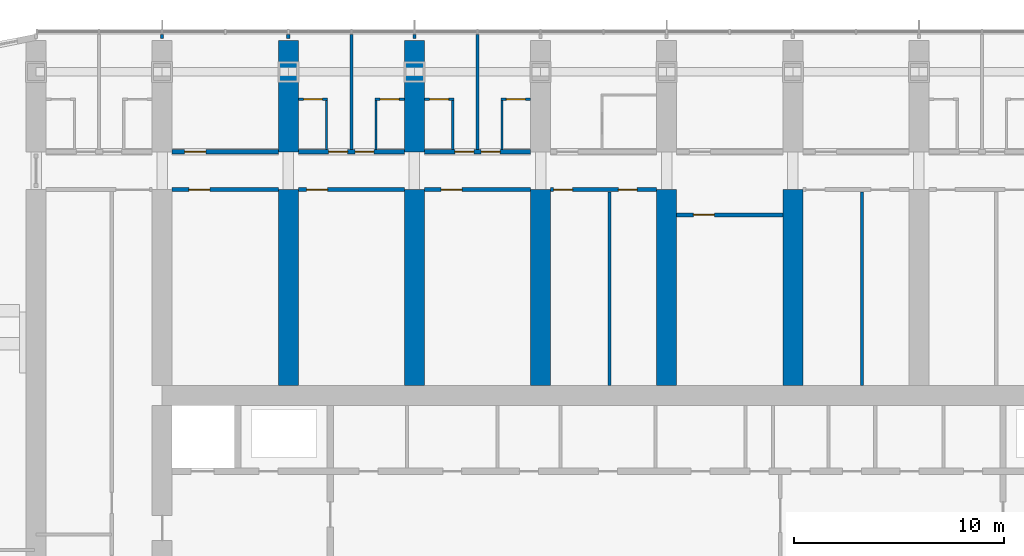
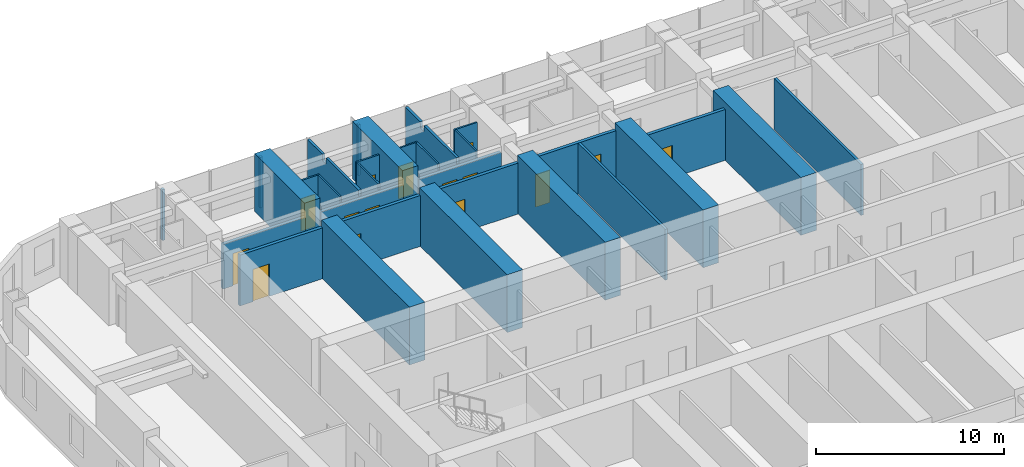
# One storey, part 14 of 22: 30 walls, 15 doors, 15 openings.
"""IFC4 building model written with IfcOpenShell, lengths in metres."""

from ifc_helpers import new_model, si_unit, direction, frame, frame_2d, origin, place, context, subcontext, project, spatial, polyline, rectangle, outline, extrude, material, layer, layer_set, type_object, element, fill, save


model = new_model("IFC4")

# Units and contexts
model_context = context("Model", 3, precision=1e-05, world=origin(), true_north=direction((0.0, 1.0)))
body_context = subcontext(model_context, "Body", "Model", "MODEL_VIEW")
ifc_project = project(units=[si_unit("LENGTHUNIT", "METRE"), si_unit("AREAUNIT", "SQUARE_METRE"), si_unit("VOLUMEUNIT", "CUBIC_METRE"), si_unit("PLANEANGLEUNIT", "RADIAN"), si_unit("MASSUNIT", "GRAM", prefix="KILO")], contexts=[model_context])

# Site, building, storey
site_placement = place(None, origin())
site = spatial("IfcSite", under=ifc_project, at=site_placement, CompositionType="ELEMENT")
building_placement = place(site_placement, origin())
building = spatial("IfcBuilding", under=site, at=building_placement, Name="Orbita Commons", CompositionType="ELEMENT")
storey_placement = place(building_placement, frame((0.0, 0.0, 80.64990234375)))
storey = spatial("IfcBuildingStorey", under=building, at=storey_placement, Name="L19", CompositionType="ELEMENT", Elevation=80.64990234375)

# Wall, opening, door
ifc_material_1 = material(Name="Concrete blockwork", Category="masonry")
ifc_layer_1 = layer(ifc_material_1, 0.199951171875)
ifc_layer_set_1 = layer_set([ifc_layer_1], Name="Concrete blockwork")
wall_type_1 = type_object("IfcWallType", Name="Corridor wall 200 blockwork", PredefinedType="SOLIDWALL", material=ifc_layer_set_1)
wall_1_placement = place(storey_placement, frame((18.47509765625, 49.800048828125, 0.0), z_axis=(0.0, 0.0, 1.0), x_axis=(1.0, 0.0, 0.0)))
wall_1 = element("IfcWall", 1, at=wall_1_placement, inside=storey, type_object=wall_type_1, Name="Corridor wall 200 blockwork L19", PredefinedType="SOLIDWALL", context=body_context, shape_type="SweptSolid", body=[
    extrude(outline(polyline([(0.0, 0.0), (5.0498046875, 0.0), (5.050048828125, 2.900146484375), (0.0, 2.900146484375), (0.0, 0.0)])), frame((0.0, 0.10009765625, 0.0), z_axis=(0.0, -1.0, 0.0), x_axis=(1.0, 0.0, 0.0)), (0.0, 0.0, 1.0), 0.199951171875),
])
opening_1_placement = place(wall_1_placement, frame((0.60009765625, 0.0, 0.0)))
opening_1 = element("IfcOpeningElement", 2, at=opening_1_placement, cuts=wall_1, Name="Opening D06", PredefinedType="OPENING", context=body_context, shape_type="SweptSolid", body=[
    extrude(rectangle(XDim=1.0, YDim=2.10009765625, at=frame_2d((0.5, 1.050048828125))), frame((0.0, 0.10986328125, 0.0), z_axis=(0.0, -1.0, 0.0), x_axis=(1.0, 0.0, 0.0)), (0.0, 0.0, 1.0), 0.219970703125),
])
ifc_material_2 = material(Name="Steel-faced fire door leaf", Category="steel")
door_type_1 = type_object("IfcDoorType", Name="Corridor door 20 min 1000x2100", OperationType="SINGLE_SWING_LEFT", PredefinedType="DOOR", material=ifc_material_2)
door_1_placement = place(opening_1_placement, origin())
door_1 = element("IfcDoor", 3, at=door_1_placement, inside=storey, type_object=door_type_1, Name="Sea-view lounge L19-N02 door", OperationType="SINGLE_SWING_LEFT", OverallHeight=2.10009765625, OverallWidth=1.0, PredefinedType="DOOR", context=body_context, shape_type="SweptSolid", body=[
    extrude(rectangle(XDim=1.0, YDim=2.10009765625, at=frame_2d((0.5, 1.050048828125))), frame((0.0, 0.02490234375, 0.0), z_axis=(0.0, -1.0, 0.0), x_axis=(1.0, 0.0, 0.0)), (0.0, 0.0, 1.0), 0.050048828125),
])
fill(opening_1, door_1)

# Wall, openings, doors
wall_2_placement = place(storey_placement, frame((24.47509765625, 49.800048828125, 0.0), z_axis=(0.0, 0.0, 1.0), x_axis=(1.0, 0.0, 0.0)))
wall_2 = element("IfcWall", 4, at=wall_2_placement, inside=storey, type_object=wall_type_1, Name="Corridor wall 200 blockwork L19", PredefinedType="SOLIDWALL", context=body_context, shape_type="SweptSolid", body=[
    extrude(outline(polyline([(0.0, 0.0), (5.0498046875, 0.0), (5.050048828125, 2.900146484375), (0.0, 2.900146484375), (0.0, 0.0)])), frame((0.0, 0.10009765625, 0.0), z_axis=(0.0, -1.0, 0.0), x_axis=(1.0, 0.0, 0.0)), (0.0, 0.0, 1.0), 0.199951171875),
])
opening_2_placement = place(wall_2_placement, frame((1.449951171875, 0.0, 0.0)))
opening_2 = element("IfcOpeningElement", 5, at=opening_2_placement, cuts=wall_2, Name="Opening D11", PredefinedType="OPENING", context=body_context, shape_type="SweptSolid", body=[
    extrude(rectangle(XDim=0.89990234375, YDim=2.10009765625, at=frame_2d((0.449951171875, 1.050048828125))), frame((0.0, 0.10986328125, 0.0), z_axis=(0.0, -1.0, 0.0), x_axis=(1.0, 0.0, 0.0)), (0.0, 0.0, 1.0), 0.219970703125),
])
opening_3_placement = place(wall_2_placement, frame((2.699951171875, 0.0, 0.0)))
opening_3 = element("IfcOpeningElement", 6, at=opening_3_placement, cuts=wall_2, Name="Opening D11", PredefinedType="OPENING", context=body_context, shape_type="SweptSolid", body=[
    extrude(rectangle(XDim=0.89990234375, YDim=2.10009765625, at=frame_2d((0.449951171875, 1.050048828125))), frame((0.0, 0.10986328125, 0.0), z_axis=(0.0, -1.0, 0.0), x_axis=(1.0, 0.0, 0.0)), (0.0, 0.0, 1.0), 0.219970703125),
])
ifc_material_3 = material(Name="Steel-faced fire door leaf", Category="steel")
door_type_2 = type_object("IfcDoorType", Name="Corridor door 20 min 900x2100", OperationType="SINGLE_SWING_LEFT", PredefinedType="DOOR", material=ifc_material_3)
door_2_placement = place(opening_2_placement, origin())
door_2 = element("IfcDoor", 7, at=door_2_placement, inside=storey, type_object=door_type_2, Name="Cluster bedroom L19-N04 door", OperationType="SINGLE_SWING_LEFT", OverallHeight=2.10009765625, OverallWidth=0.89990234375, PredefinedType="DOOR", context=body_context, shape_type="SweptSolid", body=[
    extrude(rectangle(XDim=0.89990234375, YDim=2.10009765625, at=frame_2d((0.449951171875, 1.050048828125))), frame((0.0, 0.02490234375, 0.0), z_axis=(0.0, -1.0, 0.0), x_axis=(1.0, 0.0, 0.0)), (0.0, 0.0, 1.0), 0.050048828125),
])
fill(opening_2, door_2)
door_3_placement = place(opening_3_placement, origin())
door_3 = element("IfcDoor", 8, at=door_3_placement, inside=storey, type_object=door_type_2, Name="Cluster bedroom L19-N05 door", OperationType="SINGLE_SWING_LEFT", OverallHeight=2.10009765625, OverallWidth=0.89990234375, PredefinedType="DOOR", context=body_context, shape_type="SweptSolid", body=[
    extrude(rectangle(XDim=0.89990234375, YDim=2.10009765625, at=frame_2d((0.449951171875, 1.050048828125))), frame((0.0, 0.02490234375, 0.0), z_axis=(0.0, -1.0, 0.0), x_axis=(1.0, 0.0, 0.0)), (0.0, 0.0, 1.0), 0.050048828125),
])
fill(opening_3, door_3)

wall_3_placement = place(storey_placement, frame((30.47509765625, 49.800048828125, 0.0), z_axis=(0.0, 0.0, 1.0), x_axis=(1.0, 0.0, 0.0)))
wall_3 = element("IfcWall", 9, at=wall_3_placement, inside=storey, type_object=wall_type_1, Name="Corridor wall 200 blockwork L19", PredefinedType="SOLIDWALL", context=body_context, shape_type="SweptSolid", body=[
    extrude(outline(polyline([(0.0, 0.0), (5.0498046875, 0.0), (5.050048828125, 2.900146484375), (0.0, 2.900146484375), (0.0, 0.0)])), frame((0.0, 0.10009765625, 0.0), z_axis=(0.0, -1.0, 0.0), x_axis=(1.0, 0.0, 0.0)), (0.0, 0.0, 1.0), 0.199951171875),
])
opening_4_placement = place(wall_3_placement, frame((1.449951171875, 0.0, 0.0)))
opening_4 = element("IfcOpeningElement", 10, at=opening_4_placement, cuts=wall_3, Name="Opening D11", PredefinedType="OPENING", context=body_context, shape_type="SweptSolid", body=[
    extrude(rectangle(XDim=0.89990234375, YDim=2.10009765625, at=frame_2d((0.449951171875, 1.050048828125))), frame((0.0, 0.10986328125, 0.0), z_axis=(0.0, -1.0, 0.0), x_axis=(1.0, 0.0, 0.0)), (0.0, 0.0, 1.0), 0.219970703125),
])
opening_5_placement = place(wall_3_placement, frame((2.699951171875, 0.0, 0.0)))
opening_5 = element("IfcOpeningElement", 11, at=opening_5_placement, cuts=wall_3, Name="Opening D11", PredefinedType="OPENING", context=body_context, shape_type="SweptSolid", body=[
    extrude(rectangle(XDim=0.89990234375, YDim=2.10009765625, at=frame_2d((0.449951171875, 1.050048828125))), frame((0.0, 0.10986328125, 0.0), z_axis=(0.0, -1.0, 0.0), x_axis=(1.0, 0.0, 0.0)), (0.0, 0.0, 1.0), 0.219970703125),
])
door_4_placement = place(opening_4_placement, origin())
door_4 = element("IfcDoor", 12, at=door_4_placement, inside=storey, type_object=door_type_2, Name="Cluster bedroom L19-N06 door", OperationType="SINGLE_SWING_LEFT", OverallHeight=2.10009765625, OverallWidth=0.89990234375, PredefinedType="DOOR", context=body_context, shape_type="SweptSolid", body=[
    extrude(rectangle(XDim=0.89990234375, YDim=2.10009765625, at=frame_2d((0.449951171875, 1.050048828125))), frame((0.0, 0.02490234375, 0.0), z_axis=(0.0, -1.0, 0.0), x_axis=(1.0, 0.0, 0.0)), (0.0, 0.0, 1.0), 0.050048828125),
])
fill(opening_4, door_4)
door_5_placement = place(opening_5_placement, origin())
door_5 = element("IfcDoor", 13, at=door_5_placement, inside=storey, type_object=door_type_2, Name="Cluster bedroom L19-N07 door", OperationType="SINGLE_SWING_LEFT", OverallHeight=2.10009765625, OverallWidth=0.89990234375, PredefinedType="DOOR", context=body_context, shape_type="SweptSolid", body=[
    extrude(rectangle(XDim=0.89990234375, YDim=2.10009765625, at=frame_2d((0.449951171875, 1.050048828125))), frame((0.0, 0.02490234375, 0.0), z_axis=(0.0, -1.0, 0.0), x_axis=(1.0, 0.0, 0.0)), (0.0, 0.0, 1.0), 0.050048828125),
])
fill(opening_5, door_5)

# Wall, opening, door
ifc_material_4 = material(Name="Hollow concrete block 200", Category="concrete")
ifc_layer_2 = layer(ifc_material_4, 0.199951171875)
ifc_layer_set_2 = layer_set([ifc_layer_2], Name="Hollow concrete block 200")
wall_type_2 = type_object("IfcWallType", Name="Corridor wall 200 hollow concrete block", PredefinedType="SOLIDWALL", material=ifc_layer_set_2)
wall_4_placement = place(storey_placement, frame((18.47509765625, 48.0, 0.0), z_axis=(0.0, 0.0, 1.0), x_axis=(1.0, 0.0, 0.0)))
wall_4 = element("IfcWall", 14, at=wall_4_placement, inside=storey, type_object=wall_type_2, Name="Corridor wall 200 hollow concrete block L19", PredefinedType="SOLIDWALL", context=body_context, shape_type="SweptSolid", body=[
    extrude(rectangle(XDim=5.0498046875, YDim=0.199951171875, at=frame_2d((2.52490234375, 0.0))), origin(), (0.0, 0.0, 1.0), 3.300048828125),
])
opening_6_placement = place(wall_4_placement, frame((0.800048828125, 0.0, 0.0)))
opening_6 = element("IfcOpeningElement", 15, at=opening_6_placement, cuts=wall_4, Name="Opening D06", PredefinedType="OPENING", context=body_context, shape_type="SweptSolid", body=[
    extrude(rectangle(XDim=1.0, YDim=2.10009765625, at=frame_2d((0.5, 1.050048828125))), frame((0.0, 0.10986328125, 0.0), z_axis=(0.0, -1.0, 0.0), x_axis=(1.0, 0.0, 0.0)), (0.0, 0.0, 1.0), 0.219970703125),
])
door_6_placement = place(opening_6_placement, origin())
door_6 = element("IfcDoor", 16, at=door_6_placement, inside=storey, type_object=door_type_1, Name="Cleaners store L19-BDN18 door", OperationType="SINGLE_SWING_LEFT", OverallHeight=2.10009765625, OverallWidth=1.0, PredefinedType="DOOR", context=body_context, shape_type="SweptSolid", body=[
    extrude(rectangle(XDim=1.0, YDim=2.10009765625, at=frame_2d((0.5, 1.050048828125))), frame((0.0, 0.02490234375, 0.0), z_axis=(0.0, -1.0, 0.0), x_axis=(1.0, 0.0, 0.0)), (0.0, 0.0, 1.0), 0.050048828125),
])
fill(opening_6, door_6)

wall_5_placement = place(storey_placement, frame((24.47509765625, 48.0, 0.0), z_axis=(0.0, 0.0, 1.0), x_axis=(1.0, 0.0, 0.0)))
wall_5 = element("IfcWall", 17, at=wall_5_placement, inside=storey, type_object=wall_type_2, Name="Corridor wall 200 hollow concrete block L19", PredefinedType="SOLIDWALL", context=body_context, shape_type="SweptSolid", body=[
    extrude(rectangle(XDim=5.0498046875, YDim=0.199951171875, at=frame_2d((2.52490234375, 0.0))), origin(), (0.0, 0.0, 1.0), 3.300048828125),
])
opening_7_placement = place(wall_5_placement, frame((0.39990234375, 0.0, 0.0)))
opening_7 = element("IfcOpeningElement", 18, at=opening_7_placement, cuts=wall_5, Name="Opening D06", PredefinedType="OPENING", context=body_context, shape_type="SweptSolid", body=[
    extrude(rectangle(XDim=1.0, YDim=2.10009765625, at=frame_2d((0.5, 1.050048828125))), frame((0.0, 0.10986328125, 0.0), z_axis=(0.0, -1.0, 0.0), x_axis=(1.0, 0.0, 0.0)), (0.0, 0.0, 1.0), 0.219970703125),
])
door_7_placement = place(opening_7_placement, origin())
door_7 = element("IfcDoor", 19, at=door_7_placement, inside=storey, type_object=door_type_1, Name="Storage lockers L19-BDN24 door", OperationType="SINGLE_SWING_LEFT", OverallHeight=2.10009765625, OverallWidth=1.0, PredefinedType="DOOR", context=body_context, shape_type="SweptSolid", body=[
    extrude(rectangle(XDim=1.0, YDim=2.10009765625, at=frame_2d((0.5, 1.050048828125))), frame((0.0, 0.02490234375, 0.0), z_axis=(0.0, -1.0, 0.0), x_axis=(1.0, 0.0, 0.0)), (0.0, 0.0, 1.0), 0.050048828125),
])
fill(opening_7, door_7)

wall_6_placement = place(storey_placement, frame((30.47509765625, 48.0, 0.0), z_axis=(0.0, 0.0, 1.0), x_axis=(1.0, 0.0, 0.0)))
wall_6 = element("IfcWall", 20, at=wall_6_placement, inside=storey, type_object=wall_type_2, Name="Corridor wall 200 hollow concrete block L19", PredefinedType="SOLIDWALL", context=body_context, shape_type="SweptSolid", body=[
    extrude(rectangle(XDim=5.0498046875, YDim=0.199951171875, at=frame_2d((2.52490234375, 0.0))), origin(), (0.0, 0.0, 1.0), 3.300048828125),
])
opening_8_placement = place(wall_6_placement, frame((0.800048828125, 0.0, 0.0)))
opening_8 = element("IfcOpeningElement", 21, at=opening_8_placement, cuts=wall_6, Name="Opening D06", PredefinedType="OPENING", context=body_context, shape_type="SweptSolid", body=[
    extrude(rectangle(XDim=1.0, YDim=2.10009765625, at=frame_2d((0.5, 1.050048828125))), frame((0.0, 0.10986328125, 0.0), z_axis=(0.0, -1.0, 0.0), x_axis=(1.0, 0.0, 0.0)), (0.0, 0.0, 1.0), 0.219970703125),
])
door_8_placement = place(opening_8_placement, origin())
door_8 = element("IfcDoor", 22, at=door_8_placement, inside=storey, type_object=door_type_1, Name="Ventilation plant room south L19-BDN30 door", OperationType="SINGLE_SWING_LEFT", OverallHeight=2.10009765625, OverallWidth=1.0, PredefinedType="DOOR", context=body_context, shape_type="SweptSolid", body=[
    extrude(rectangle(XDim=1.0, YDim=2.10009765625, at=frame_2d((0.5, 1.050048828125))), frame((0.0, 0.02490234375, 0.0), z_axis=(0.0, -1.0, 0.0), x_axis=(1.0, 0.0, 0.0)), (0.0, 0.0, 1.0), 0.050048828125),
])
fill(opening_8, door_8)

# Wall, openings, doors
wall_7_placement = place(storey_placement, frame((36.47509765625, 48.0, 0.0), z_axis=(0.0, 0.0, 1.0), x_axis=(1.0, 0.0, 0.0)))
wall_7 = element("IfcWall", 23, at=wall_7_placement, inside=storey, type_object=wall_type_2, Name="Corridor wall 200 hollow concrete block L19", PredefinedType="SOLIDWALL", context=body_context, shape_type="SweptSolid", body=[
    extrude(rectangle(XDim=5.0498046875, YDim=0.199951171875, at=frame_2d((2.52490234375, 0.0))), origin(), (0.0, 0.0, 1.0), 3.300048828125),
])
opening_9_placement = place(wall_7_placement, frame((0.14990234375, 0.0, 0.0)))
opening_9 = element("IfcOpeningElement", 24, at=opening_9_placement, cuts=wall_7, Name="Opening D11", PredefinedType="OPENING", context=body_context, shape_type="SweptSolid", body=[
    extrude(rectangle(XDim=0.89990234375, YDim=2.10009765625, at=frame_2d((0.449951171875, 1.050048828125))), frame((0.0, 0.10986328125, 0.0), z_axis=(0.0, -1.0, 0.0), x_axis=(1.0, 0.0, 0.0)), (0.0, 0.0, 1.0), 0.219970703125),
])
opening_10_placement = place(wall_7_placement, frame((3.22509765625, 0.0, 0.0)))
opening_10 = element("IfcOpeningElement", 25, at=opening_10_placement, cuts=wall_7, Name="Opening D11", PredefinedType="OPENING", context=body_context, shape_type="SweptSolid", body=[
    extrude(rectangle(XDim=0.89990234375, YDim=2.10009765625, at=frame_2d((0.449951171875, 1.050048828125))), frame((0.0, 0.10986328125, 0.0), z_axis=(0.0, -1.0, 0.0), x_axis=(1.0, 0.0, 0.0)), (0.0, 0.0, 1.0), 0.219970703125),
])
door_9_placement = place(opening_9_placement, origin())
door_9 = element("IfcDoor", 26, at=door_9_placement, inside=storey, type_object=door_type_2, Name="Electrical and data room L19-BDN36 door", OperationType="SINGLE_SWING_LEFT", OverallHeight=2.10009765625, OverallWidth=0.89990234375, PredefinedType="DOOR", context=body_context, shape_type="SweptSolid", body=[
    extrude(rectangle(XDim=0.89990234375, YDim=2.10009765625, at=frame_2d((0.449951171875, 1.050048828125))), frame((0.0, 0.02490234375, 0.0), z_axis=(0.0, -1.0, 0.0), x_axis=(1.0, 0.0, 0.0)), (0.0, 0.0, 1.0), 0.050048828125),
])
fill(opening_9, door_9)
door_10_placement = place(opening_10_placement, origin())
door_10 = element("IfcDoor", 27, at=door_10_placement, inside=storey, type_object=door_type_2, Name="Battery and UPS room L19-BDN36n door", OperationType="SINGLE_SWING_LEFT", OverallHeight=2.10009765625, OverallWidth=0.89990234375, PredefinedType="DOOR", context=body_context, shape_type="SweptSolid", body=[
    extrude(rectangle(XDim=0.89990234375, YDim=2.10009765625, at=frame_2d((0.449951171875, 1.050048828125))), frame((0.0, 0.02490234375, 0.0), z_axis=(0.0, -1.0, 0.0), x_axis=(1.0, 0.0, 0.0)), (0.0, 0.0, 1.0), 0.050048828125),
])
fill(opening_10, door_10)

# Wall, opening, door
wall_8_placement = place(storey_placement, frame((42.47509765625, 46.800048828125, 0.0), z_axis=(0.0, 0.0, 1.0), x_axis=(1.0, 0.0, 0.0)))
wall_8 = element("IfcWall", 28, at=wall_8_placement, inside=storey, type_object=wall_type_2, Name="Corridor wall 200 hollow concrete block L19", PredefinedType="SOLIDWALL", context=body_context, shape_type="SweptSolid", body=[
    extrude(rectangle(XDim=5.0498046875, YDim=0.199951171875, at=frame_2d((2.52490234375, 0.0))), origin(), (0.0, 0.0, 1.0), 3.300048828125),
])
opening_11_placement = place(wall_8_placement, frame((0.800048828125, 0.0, 0.0)))
opening_11 = element("IfcOpeningElement", 29, at=opening_11_placement, cuts=wall_8, Name="Opening D06", PredefinedType="OPENING", context=body_context, shape_type="SweptSolid", body=[
    extrude(rectangle(XDim=1.0, YDim=2.10009765625, at=frame_2d((0.5, 1.050048828125))), frame((0.0, 0.10986328125, 0.0), z_axis=(0.0, -1.0, 0.0), x_axis=(1.0, 0.0, 0.0)), (0.0, 0.0, 1.0), 0.219970703125),
])
door_11_placement = place(opening_11_placement, origin())
door_11 = element("IfcDoor", 30, at=door_11_placement, inside=storey, type_object=door_type_1, Name="Store L19-BDN42 door", OperationType="SINGLE_SWING_LEFT", OverallHeight=2.10009765625, OverallWidth=1.0, PredefinedType="DOOR", context=body_context, shape_type="SweptSolid", body=[
    extrude(rectangle(XDim=1.0, YDim=2.10009765625, at=frame_2d((0.5, 1.050048828125))), frame((0.0, 0.02490234375, 0.0), z_axis=(0.0, -1.0, 0.0), x_axis=(1.0, 0.0, 0.0)), (0.0, 0.0, 1.0), 0.050048828125),
])
fill(opening_11, door_11)

# Walls
ifc_material_5 = material(Name="Concrete C50/60", Category="concrete")
ifc_layer_3 = layer(ifc_material_5, 0.949951171875)
ifc_layer_set_3 = layer_set([ifc_layer_3], Name="Concrete C50/60")
wall_type_3 = type_object("IfcWallType", Name="Cross wall 950 C50/60", PredefinedType="SHEAR", material=ifc_layer_set_3)
wall_9_placement = place(storey_placement, frame((24.0, 49.800048828125, 0.0), z_axis=(0.0, 0.0, 1.0), x_axis=(0.0, 1.0, 0.0)))
element("IfcWall", 31, at=wall_9_placement, inside=storey, type_object=wall_type_3, Name="Cross wall 5 north outer L19", PredefinedType="SHEAR", context=body_context, shape_type="SweptSolid", body=[
    extrude(rectangle(XDim=5.300048828125, YDim=0.949951171875, at=frame_2d((2.64990234375, 0.0))), origin(), (0.0, 0.0, 1.0), 3.75),
])
wall_10_placement = place(storey_placement, frame((24.0, 38.675048828125, 0.0), z_axis=(0.0, 0.0, 1.0), x_axis=(0.0, 1.0, 0.0)))
element("IfcWall", 32, at=wall_10_placement, inside=storey, type_object=wall_type_3, Name="Cross wall 5 north inner L19", PredefinedType="SHEAR", context=body_context, shape_type="SweptSolid", body=[
    extrude(rectangle(XDim=9.324951171875, YDim=0.949951171875, at=frame_2d((4.66259765625, 0.0))), origin(), (0.0, 0.0, 1.0), 3.75),
])
wall_11_placement = place(storey_placement, frame((30.0, 49.800048828125, 0.0), z_axis=(0.0, 0.0, 1.0), x_axis=(0.0, 1.0, 0.0)))
element("IfcWall", 33, at=wall_11_placement, inside=storey, type_object=wall_type_3, Name="Cross wall 6 north outer L19", PredefinedType="SHEAR", context=body_context, shape_type="SweptSolid", body=[
    extrude(rectangle(XDim=5.300048828125, YDim=0.949951171875, at=frame_2d((2.64990234375, 0.0))), origin(), (0.0, 0.0, 1.0), 3.75),
])
for number, where, z_axis, x_axis, name in (
    (34, (30.0, 38.675048828125, 0.0), (0.0, 0.0, 1.0), (0.0, 1.0, 0.0), "Cross wall 6 north inner L19"),
    (35, (36.0, 38.675048828125, 0.0), (0.0, 0.0, 1.0), (0.0, 1.0, 0.0), "Cross wall 7 north inner L19"),
    (36, (42.0, 38.675048828125, 0.0), (0.0, 0.0, 1.0), (0.0, 1.0, 0.0), "Cross wall 8 north inner L19"),
    (37, (48.0, 38.675048828125, 0.0), (0.0, 0.0, 1.0), (0.0, 1.0, 0.0), "Cross wall 9 north inner L19"),
):
    element("IfcWall", number, at=place(storey_placement, frame(where, z_axis=z_axis, x_axis=x_axis)), inside=storey, type_object=wall_type_3, Name=name, PredefinedType="SHEAR", context=body_context, shape_type="SweptSolid", body=[
        extrude(rectangle(XDim=9.324951171875, YDim=0.949951171875, at=frame_2d((4.66259765625, 0.0))), origin(), (0.0, 0.0, 1.0), 3.75),
    ])

# Wall, opening, door
ifc_material_6 = material(Name="Moisture-resistant plasterboard on steel studs", Category="steel")
ifc_layer_4 = layer(ifc_material_6, 0.10009765625)
ifc_layer_set_4 = layer_set([ifc_layer_4], Name="Moisture-resistant plasterboard on steel studs")
wall_type_4 = type_object("IfcWallType", Name="En-suite partition 100", PredefinedType="PARTITIONING", material=ifc_layer_set_4)
wall_12_placement = place(storey_placement, frame((24.47509765625, 52.300048828125, 0.0), z_axis=(0.0, 0.0, 1.0), x_axis=(1.0, 0.0, 0.0)))
wall_12 = element("IfcWall", 38, at=wall_12_placement, inside=storey, type_object=wall_type_4, Name="En-suite partition 100 L19", PredefinedType="PARTITIONING", context=body_context, shape_type="SweptSolid", body=[
    extrude(rectangle(XDim=1.39990234375, YDim=0.10009765625, at=frame_2d((0.699951171875, 0.0))), origin(), (0.0, 0.0, 1.0), 3.300048828125),
])
opening_12_placement = place(wall_12_placement, frame((0.25, 0.0, 0.0)))
opening_12 = element("IfcOpeningElement", 39, at=opening_12_placement, cuts=wall_12, Name="Opening D09", PredefinedType="OPENING", context=body_context, shape_type="SweptSolid", body=[
    extrude(rectangle(XDim=0.89990234375, YDim=2.10009765625, at=frame_2d((0.449951171875, 1.050048828125))), frame((0.0, 0.06005859375, 0.0), z_axis=(0.0, -1.0, 0.0), x_axis=(1.0, 0.0, 0.0)), (0.0, 0.0, 1.0), 0.1201171875),
])
ifc_material_7 = material(Name="Laminated timber door leaf", Category="wood")
door_type_3 = type_object("IfcDoorType", Name="En-suite door 900x2100", OperationType="SINGLE_SWING_RIGHT", PredefinedType="DOOR", material=ifc_material_7)
door_12_placement = place(opening_12_placement, origin())
door_12 = element("IfcDoor", 40, at=door_12_placement, inside=storey, type_object=door_type_3, Name="En-suite L19-N04 door", OperationType="SINGLE_SWING_RIGHT", OverallHeight=2.10009765625, OverallWidth=0.89990234375, PredefinedType="DOOR", context=body_context, shape_type="SweptSolid", body=[
    extrude(rectangle(XDim=0.89990234375, YDim=2.10009765625, at=frame_2d((0.449951171875, 1.050048828125))), frame((0.0, 0.02490234375, 0.0), z_axis=(0.0, -1.0, 0.0), x_axis=(1.0, 0.0, 0.0)), (0.0, 0.0, 1.0), 0.050048828125),
])
fill(opening_12, door_12)

# Wall
wall_13_placement = place(storey_placement, frame((25.824951171875, 52.25, 0.0), z_axis=(0.0, 0.0, 1.0), x_axis=(0.0, -1.0, 0.0)))
element("IfcWall", 41, at=wall_13_placement, inside=storey, type_object=wall_type_4, Name="En-suite partition 100 L19", PredefinedType="PARTITIONING", context=body_context, shape_type="SweptSolid", body=[
    extrude(outline(polyline([(0.0, 0.0), (2.35009765625, 0.0), (2.35009765625, 2.900146484375), (2.302001953125, 2.900146484375), (2.300048828125, 3.300048828125), (0.0, 3.300048828125), (0.0, 0.0)])), frame((0.0, 0.050048828125, 0.0), z_axis=(0.0, -1.0, 0.0), x_axis=(1.0, 0.0, 0.0)), (0.0, 0.0, 1.0), 0.10009765625),
])

# Wall, opening, door
wall_14_placement = place(storey_placement, frame((28.125, 52.300048828125, 0.0), z_axis=(0.0, 0.0, 1.0), x_axis=(1.0, 0.0, 0.0)))
wall_14 = element("IfcWall", 42, at=wall_14_placement, inside=storey, type_object=wall_type_4, Name="En-suite partition 100 L19", PredefinedType="PARTITIONING", context=body_context, shape_type="SweptSolid", body=[
    extrude(rectangle(XDim=1.39990234375, YDim=0.10009765625, at=frame_2d((0.699951171875, 0.0))), origin(), (0.0, 0.0, 1.0), 3.300048828125),
])
opening_13_placement = place(wall_14_placement, frame((0.25, 0.0, 0.0)))
opening_13 = element("IfcOpeningElement", 43, at=opening_13_placement, cuts=wall_14, Name="Opening D09", PredefinedType="OPENING", context=body_context, shape_type="SweptSolid", body=[
    extrude(rectangle(XDim=0.89990234375, YDim=2.10009765625, at=frame_2d((0.449951171875, 1.050048828125))), frame((0.0, 0.06005859375, 0.0), z_axis=(0.0, -1.0, 0.0), x_axis=(1.0, 0.0, 0.0)), (0.0, 0.0, 1.0), 0.1201171875),
])
door_13_placement = place(opening_13_placement, origin())
door_13 = element("IfcDoor", 44, at=door_13_placement, inside=storey, type_object=door_type_3, Name="En-suite L19-N05 door", OperationType="SINGLE_SWING_RIGHT", OverallHeight=2.10009765625, OverallWidth=0.89990234375, PredefinedType="DOOR", context=body_context, shape_type="SweptSolid", body=[
    extrude(rectangle(XDim=0.89990234375, YDim=2.10009765625, at=frame_2d((0.449951171875, 1.050048828125))), frame((0.0, 0.02490234375, 0.0), z_axis=(0.0, -1.0, 0.0), x_axis=(1.0, 0.0, 0.0)), (0.0, 0.0, 1.0), 0.050048828125),
])
fill(opening_13, door_13)

# Wall
wall_15_placement = place(storey_placement, frame((28.175048828125, 52.25, 0.0), z_axis=(0.0, 0.0, 1.0), x_axis=(0.0, -1.0, 0.0)))
element("IfcWall", 45, at=wall_15_placement, inside=storey, type_object=wall_type_4, Name="En-suite partition 100 L19", PredefinedType="PARTITIONING", context=body_context, shape_type="SweptSolid", body=[
    extrude(outline(polyline([(0.0, 0.0), (2.35009765625, 0.0), (2.35009765625, 2.900146484375), (2.302001953125, 2.900146484375), (2.300048828125, 3.300048828125), (0.0, 3.300048828125), (0.0, 0.0)])), frame((0.0, 0.050048828125, 0.0), z_axis=(0.0, -1.0, 0.0), x_axis=(1.0, 0.0, 0.0)), (0.0, 0.0, 1.0), 0.10009765625),
])

# Wall, opening, door
wall_16_placement = place(storey_placement, frame((30.47509765625, 52.300048828125, 0.0), z_axis=(0.0, 0.0, 1.0), x_axis=(1.0, 0.0, 0.0)))
wall_16 = element("IfcWall", 46, at=wall_16_placement, inside=storey, type_object=wall_type_4, Name="En-suite partition 100 L19", PredefinedType="PARTITIONING", context=body_context, shape_type="SweptSolid", body=[
    extrude(rectangle(XDim=1.39990234375, YDim=0.10009765625, at=frame_2d((0.699951171875, 0.0))), origin(), (0.0, 0.0, 1.0), 3.300048828125),
])
opening_14_placement = place(wall_16_placement, frame((0.25, 0.0, 0.0)))
opening_14 = element("IfcOpeningElement", 47, at=opening_14_placement, cuts=wall_16, Name="Opening D09", PredefinedType="OPENING", context=body_context, shape_type="SweptSolid", body=[
    extrude(rectangle(XDim=0.89990234375, YDim=2.10009765625, at=frame_2d((0.449951171875, 1.050048828125))), frame((0.0, 0.06005859375, 0.0), z_axis=(0.0, -1.0, 0.0), x_axis=(1.0, 0.0, 0.0)), (0.0, 0.0, 1.0), 0.1201171875),
])
door_14_placement = place(opening_14_placement, origin())
door_14 = element("IfcDoor", 48, at=door_14_placement, inside=storey, type_object=door_type_3, Name="En-suite L19-N06 door", OperationType="SINGLE_SWING_RIGHT", OverallHeight=2.10009765625, OverallWidth=0.89990234375, PredefinedType="DOOR", context=body_context, shape_type="SweptSolid", body=[
    extrude(rectangle(XDim=0.89990234375, YDim=2.10009765625, at=frame_2d((0.449951171875, 1.050048828125))), frame((0.0, 0.02490234375, 0.0), z_axis=(0.0, -1.0, 0.0), x_axis=(1.0, 0.0, 0.0)), (0.0, 0.0, 1.0), 0.050048828125),
])
fill(opening_14, door_14)

# Wall
wall_17_placement = place(storey_placement, frame((31.824951171875, 52.25, 0.0), z_axis=(0.0, 0.0, 1.0), x_axis=(0.0, -1.0, 0.0)))
element("IfcWall", 49, at=wall_17_placement, inside=storey, type_object=wall_type_4, Name="En-suite partition 100 L19", PredefinedType="PARTITIONING", context=body_context, shape_type="SweptSolid", body=[
    extrude(outline(polyline([(0.0, 0.0), (2.35009765625, 0.0), (2.35009765625, 2.900146484375), (2.302001953125, 2.900146484375), (2.300048828125, 3.300048828125), (0.0, 3.300048828125), (0.0, 0.0)])), frame((0.0, 0.050048828125, 0.0), z_axis=(0.0, -1.0, 0.0), x_axis=(1.0, 0.0, 0.0)), (0.0, 0.0, 1.0), 0.10009765625),
])

# Wall, opening, door
wall_18_placement = place(storey_placement, frame((34.125, 52.300048828125, 0.0), z_axis=(0.0, 0.0, 1.0), x_axis=(1.0, 0.0, 0.0)))
wall_18 = element("IfcWall", 50, at=wall_18_placement, inside=storey, type_object=wall_type_4, Name="En-suite partition 100 L19", PredefinedType="PARTITIONING", context=body_context, shape_type="SweptSolid", body=[
    extrude(rectangle(XDim=1.39990234375, YDim=0.10009765625, at=frame_2d((0.699951171875, 0.0))), origin(), (0.0, 0.0, 1.0), 3.300048828125),
])
opening_15_placement = place(wall_18_placement, frame((0.25, 0.0, 0.0)))
opening_15 = element("IfcOpeningElement", 51, at=opening_15_placement, cuts=wall_18, Name="Opening D09", PredefinedType="OPENING", context=body_context, shape_type="SweptSolid", body=[
    extrude(rectangle(XDim=0.89990234375, YDim=2.10009765625, at=frame_2d((0.449951171875, 1.050048828125))), frame((0.0, 0.06005859375, 0.0), z_axis=(0.0, -1.0, 0.0), x_axis=(1.0, 0.0, 0.0)), (0.0, 0.0, 1.0), 0.1201171875),
])
door_15_placement = place(opening_15_placement, origin())
door_15 = element("IfcDoor", 52, at=door_15_placement, inside=storey, type_object=door_type_3, Name="En-suite L19-N07 door", OperationType="SINGLE_SWING_RIGHT", OverallHeight=2.10009765625, OverallWidth=0.89990234375, PredefinedType="DOOR", context=body_context, shape_type="SweptSolid", body=[
    extrude(rectangle(XDim=0.89990234375, YDim=2.10009765625, at=frame_2d((0.449951171875, 1.050048828125))), frame((0.0, 0.02490234375, 0.0), z_axis=(0.0, -1.0, 0.0), x_axis=(1.0, 0.0, 0.0)), (0.0, 0.0, 1.0), 0.050048828125),
])
fill(opening_15, door_15)

# Walls
wall_19_placement = place(storey_placement, frame((34.175048828125, 52.25, 0.0), z_axis=(0.0, 0.0, 1.0), x_axis=(0.0, -1.0, 0.0)))
element("IfcWall", 53, at=wall_19_placement, inside=storey, type_object=wall_type_4, Name="En-suite partition 100 L19", PredefinedType="PARTITIONING", context=body_context, shape_type="SweptSolid", body=[
    extrude(outline(polyline([(0.0, 0.0), (2.35009765625, 0.0), (2.35009765625, 2.900146484375), (2.302001953125, 2.900146484375), (2.300048828125, 3.300048828125), (0.0, 3.300048828125), (0.0, 0.0)])), frame((0.0, 0.050048828125, 0.0), z_axis=(0.0, -1.0, 0.0), x_axis=(1.0, 0.0, 0.0)), (0.0, 0.0, 1.0), 0.10009765625),
])
ifc_material_8 = material(Name="Gypsum plasterboard on steel studs", Category="steel")
ifc_layer_5 = layer(ifc_material_8, 0.14990234375)
ifc_layer_set_5 = layer_set([ifc_layer_5], Name="Gypsum plasterboard on steel studs")
wall_type_5 = type_object("IfcWallType", Name="Partition 150 plasterboard", PredefinedType="PARTITIONING", material=ifc_layer_set_5)
for number, where, z_axis, x_axis, name in (
    (54, (39.27490234375, 38.675048828125, 0.0), (0.0, 0.0, 1.0), (0.0, 1.0, 0.0), "Partition 150 plasterboard L19"),
    (55, (51.284912109375, 38.675048828125, 0.0), (0.0, 0.0, 1.0), (0.0, 1.0, 0.0), "Partition 150 plasterboard L19"),
):
    element("IfcWall", number, at=place(storey_placement, frame(where, z_axis=z_axis, x_axis=x_axis)), inside=storey, type_object=wall_type_5, Name=name, PredefinedType="PARTITIONING", context=body_context, shape_type="SweptSolid", body=[
        extrude(rectangle(XDim=9.224853515625, YDim=0.14990234375, at=frame_2d((4.6123046875, 0.0))), origin(), (0.0, 0.0, 1.0), 3.300048828125),
    ])
for number, where, z_axis, x_axis, name in (
    (56, (18.0, 55.199951171875, 0.0), (0.0, 0.0, 1.0), (0.0, 1.0, 0.0), "Partition 150 plasterboard L19"),
    (57, (24.0, 55.199951171875, 0.0), (0.0, 0.0, 1.0), (0.0, 1.0, 0.0), "Partition 150 plasterboard L19"),
    (58, (30.0, 55.199951171875, 0.0), (0.0, 0.0, 1.0), (0.0, 1.0, 0.0), "Partition 150 plasterboard L19"),
):
    element("IfcWall", number, at=place(storey_placement, frame(where, z_axis=z_axis, x_axis=x_axis)), inside=storey, type_object=wall_type_5, Name=name, PredefinedType="PARTITIONING", context=body_context, shape_type="SweptSolid", body=[
        extrude(rectangle(XDim=0.18994140625, YDim=0.14990234375, at=frame_2d((0.094970703125, 0.0))), origin(), (0.0, 0.0, 1.0), 3.300048828125),
    ])
ifc_material_9 = material(Name="Gypsum plasterboard on steel studs", Category="steel")
ifc_layer_6 = layer(ifc_material_9, 0.14990234375)
ifc_layer_set_6 = layer_set([ifc_layer_6], Name="Gypsum plasterboard on steel studs")
wall_type_6 = type_object("IfcWallType", Name="Party wall 150 plasterboard", PredefinedType="PARTITIONING", material=ifc_layer_set_6)
for number, where, z_axis, x_axis, name in (
    (59, (27.0, 55.389892578125, 0.0), (0.0, 0.0, 1.0), (0.0, -1.0, 0.0), "Party wall 150 plasterboard L19"),
    (60, (33.0, 55.389892578125, 0.0), (0.0, 0.0, 1.0), (0.0, -1.0, 0.0), "Party wall 150 plasterboard L19"),
):
    element("IfcWall", number, at=place(storey_placement, frame(where, z_axis=z_axis, x_axis=x_axis)), inside=storey, type_object=wall_type_6, Name=name, PredefinedType="PARTITIONING", context=body_context, shape_type="SweptSolid", body=[
        extrude(outline(polyline([(0.0, 0.0), (5.489990234375, 0.0), (5.489990234375, 2.900146484375), (5.44189453125, 2.900146484375), (5.43994140625, 3.300048828125), (1.991943359375, 3.300048828125), (1.989990234375, 2.900146484375), (1.592041015625, 2.900146484375), (1.590087890625, 3.300048828125), (0.0, 3.300048828125), (0.0, 0.0)])), frame((0.0, 0.074951171875, 0.0), z_axis=(0.0, -1.0, 0.0), x_axis=(1.0, 0.0, 0.0)), (0.0, 0.0, 1.0), 0.14990234375),
    ])

save(model, "model.ifc")
